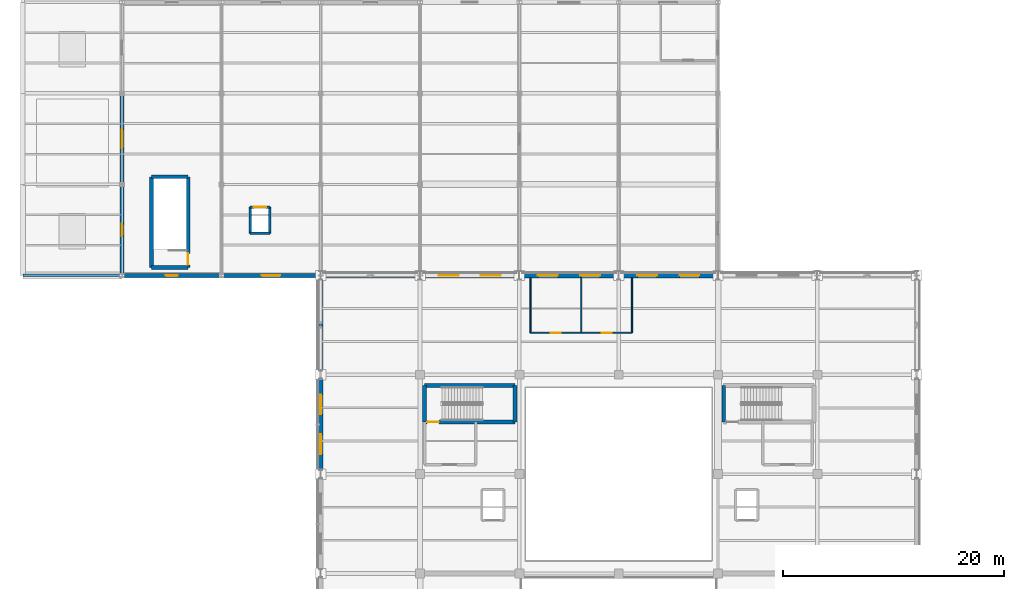
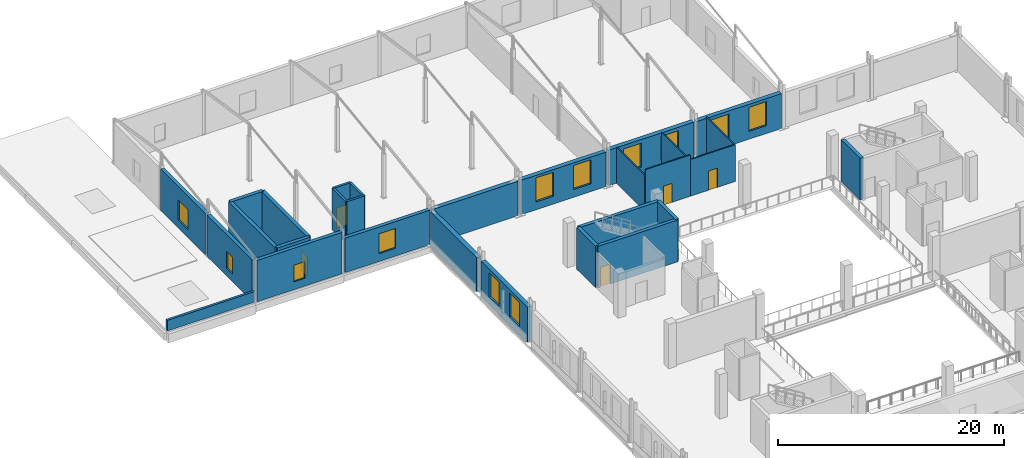
# One storey, part 35 of 54: 29 walls, 12 windows, 5 doors, 17 openings.
"""IFC4 building model written with IfcOpenShell, lengths in metres."""

import ifcopenshell
import ifcopenshell.guid

model = None  # the IFC model being written
_history = None  # IfcOwnerHistory: only IFC2X3 demands one
_inside = {}  # id of a spatial element -> (the spatial element, [elements in it])
_under = {}  # id of a project, library or spatial element -> (it, [spatial elements below it])
_declared = {}  # id of a project -> (the project, [libraries it declares])
_typed = {}  # id of a type object -> (the type object, [elements of that type])
_made_of = {}  # id of a material, layer set ... -> (it, [elements and type objects made of it])


def new_model(schema):
    """Start an empty IFC model of exactly this schema.

    Asked for "IFC4X3", IfcOpenShell would pick the latest addendum, in which some entities
    have other attributes; the version numbers below select the first issue.
    IFC2X3 requires an IfcOwnerHistory on every rooted entity: one is made here for all.
    """
    global model, _history
    if schema == "IFC4X3":
        model = ifcopenshell.file(schema_version=(4, 3, 0, 0))
    else:
        model = ifcopenshell.file(schema=schema)
    _inside.clear()
    _under.clear()
    _declared.clear()
    _typed.clear()
    _made_of.clear()
    _history = None
    if model.schema == "IFC2X3":
        org = make("IfcOrganization", Name="unknown")
        user = make(
            "IfcPersonAndOrganization",
            ThePerson=make("IfcPerson", FamilyName="unknown"),
            TheOrganization=org,
        )
        app = make(
            "IfcApplication",
            ApplicationDeveloper=org,
            Version="unknown",
            ApplicationFullName="unknown",
            ApplicationIdentifier="unknown",
        )
        _history = make(
            "IfcOwnerHistory",
            OwningUser=user,
            OwningApplication=app,
            ChangeAction="ADDED",
            CreationDate=0,
        )
    return model


def make(cls, **values):
    """One entity of the class cls with the attributes given. An attribute that is None is left unset."""
    return model.create_entity(
        cls, **{name: value for name, value in values.items() if value is not None}
    )


def rooted(cls, **values):
    """An entity with a GlobalId (a new one), such as an element, a storey or a relation."""
    return make(cls, GlobalId=ifcopenshell.guid.new(), OwnerHistory=_history, **values)


def si_unit(unit_type, name, prefix=None):
    """IfcSIUnit, for example si_unit("LENGTHUNIT", "METRE", prefix="MILLI")."""
    return make("IfcSIUnit", UnitType=unit_type, Prefix=prefix, Name=name)


def assignment(units):
    """IfcUnitAssignment: the units of a project."""
    return None if units is None else make("IfcUnitAssignment", Units=units)


def point(xyz):
    """IfcCartesianPoint."""
    return None if xyz is None else make("IfcCartesianPoint", Coordinates=xyz)


def direction(xyz):
    """IfcDirection."""
    return None if xyz is None else make("IfcDirection", DirectionRatios=xyz)


def frame(location, z_axis=None, x_axis=None):
    """IfcAxis2Placement3D, a coordinate frame: its origin and axes. An axis left out is left unset."""
    return make(
        "IfcAxis2Placement3D",
        Location=point(location),
        Axis=direction(z_axis),
        RefDirection=direction(x_axis),
    )


def frame_2d(location, x_axis=None):
    """IfcAxis2Placement2D, a coordinate frame in the plane: its origin and x axis."""
    return make(
        "IfcAxis2Placement2D", Location=point(location), RefDirection=direction(x_axis)
    )


def origin():
    """The frame at (0, 0, 0) with its axes left unset."""
    return frame((0.0, 0.0, 0.0))


def place(relative_to, where):
    """IfcLocalPlacement: puts the frame where relative to a parent placement (None: the world)."""
    return make(
        "IfcLocalPlacement", PlacementRelTo=relative_to, RelativePlacement=where
    )


def context(
    kind, dimensions, precision=None, world=None, true_north=None, identifier=None
):
    """IfcGeometricRepresentationContext, for example the 3D "Model" context."""
    return make(
        "IfcGeometricRepresentationContext",
        ContextIdentifier=identifier,
        ContextType=kind,
        CoordinateSpaceDimension=dimensions,
        Precision=precision,
        WorldCoordinateSystem=world,
        TrueNorth=true_north,
    )


def subcontext(parent, identifier, kind, view, scale=None):
    """IfcGeometricRepresentationSubContext, for example "Body" below "Model"."""
    return make(
        "IfcGeometricRepresentationSubContext",
        ContextIdentifier=identifier,
        ContextType=kind,
        ParentContext=parent,
        TargetScale=scale,
        TargetView=view,
    )


def project(units=None, contexts=None):
    """IfcProject with its units and contexts."""
    return rooted(
        "IfcProject",
        Name="project",
        RepresentationContexts=contexts,
        UnitsInContext=assignment(units),
    )


def spatial(cls, under=None, at=None, **own):
    """A site, building, storey or space (cls), placed at a placement, below another one or the project."""
    s = rooted(cls, ObjectPlacement=at, **own)
    if under is not None:
        _under.setdefault(under.id(), (under, []))[1].append(s)
    return s


def profile(cls, at=None, kind="AREA", **sizes):
    """A parametric profile (cls). Its sizes go by their IFC names, for example OverallWidth=200.0."""
    return make(cls, ProfileType=kind, Position=at, **sizes)


def rectangle(**sizes):
    """IfcRectangleProfileDef."""
    return profile("IfcRectangleProfileDef", **sizes)


def extrude(swept, where, along, depth):
    """IfcExtrudedAreaSolid: the profile swept, set in the frame where, extruded along a direction by depth."""
    return make(
        "IfcExtrudedAreaSolid",
        SweptArea=swept,
        Position=where,
        ExtrudedDirection=direction(along),
        Depth=depth,
    )


def shape(context_of_items, identifier, shape_type, items):
    """IfcShapeRepresentation: the items that make up one representation, for example the "Body"."""
    return make(
        "IfcShapeRepresentation",
        ContextOfItems=context_of_items,
        RepresentationIdentifier=identifier,
        RepresentationType=shape_type,
        Items=items,
    )


def material(Name=None, Category=None):
    """IfcMaterial."""
    return make("IfcMaterial", Name=Name, Category=Category)


def layer(
    of_material, thickness, ventilated=None, Name=None, Category=None, Priority=None
):
    """IfcMaterialLayer: one layer of a wall or slab, of a material (None: an air gap)."""
    return make(
        "IfcMaterialLayer",
        Material=of_material,
        LayerThickness=thickness,
        IsVentilated=ventilated,
        Name=Name,
        Category=Category,
        Priority=Priority,
    )


def layer_set(layers, Name=None):
    """IfcMaterialLayerSet."""
    return make("IfcMaterialLayerSet", MaterialLayers=layers, LayerSetName=Name)


def made_of(thing, what):
    """Note that an element or type object is made of a material, layer set ...; save() writes the relation."""
    if what is not None:
        _made_of.setdefault(what.id(), (what, []))[1].append(thing)
    return thing


def type_object(cls, material=None, **own):
    """A type object (cls), such as IfcWallType, which elements share."""
    return made_of(rooted(cls, **own), material)


def element(
    cls,
    number,
    at=None,
    inside=None,
    cuts=None,
    type_object=None,
    material=None,
    context=None,
    identifier="Body",
    shape_type=None,
    held_by="IfcProductDefinitionShape",
    body=None,
    shapes=None,
    **own,
):
    """One element of the class cls, such as IfcWall. Its Tag is "e" and its number.

    at: its placement. inside: the storey or other place that contains it. cuts: it is an
    opening in that element (IfcRelVoidsElement). A single representation is given by context,
    identifier, shape_type and body (its items); several are given by shapes. held_by: the class
    of the entity that holds the representations. save() writes the other relations.
    """
    e = rooted(cls, Tag="e%d" % number, ObjectPlacement=at, **own)
    if body is not None:
        shapes = [shape(context, identifier, shape_type, body)]
    if shapes is not None:
        e.Representation = make(held_by, Representations=shapes)
    if inside is not None:
        _inside.setdefault(inside.id(), (inside, []))[1].append(e)
    if cuts is not None:
        rooted(
            "IfcRelVoidsElement", RelatingBuildingElement=cuts, RelatedOpeningElement=e
        )
    if type_object is not None:
        _typed.setdefault(type_object.id(), (type_object, []))[1].append(e)
    return made_of(e, material)


def fill(opening, filler):
    """IfcRelFillsElement: the door or window that sits in an opening."""
    return rooted(
        "IfcRelFillsElement",
        RelatingOpeningElement=opening,
        RelatedBuildingElement=filler,
    )


def aggregate(whole, parts):
    """IfcRelAggregates: a whole, such as a stair, and the parts it consists of."""
    return rooted("IfcRelAggregates", RelatingObject=whole, RelatedObjects=parts)


def save(model, path):
    """Write the relations noted so far, then the file.

    IfcRelAggregates (storeys below a building ...), IfcRelContainedInSpatialStructure (elements
    in a storey), IfcRelDefinesByType, IfcRelAssociatesMaterial and IfcRelDeclares: one each for
    every whole, place, type object, material and project.
    """
    for whole, parts in _under.values():
        aggregate(whole, parts)
    for where, things in _inside.values():
        rooted(
            "IfcRelContainedInSpatialStructure",
            RelatedElements=things,
            RelatingStructure=where,
        )
    for kind, things in _typed.values():
        rooted("IfcRelDefinesByType", RelatedObjects=things, RelatingType=kind)
    for what, things in _made_of.values():
        rooted("IfcRelAssociatesMaterial", RelatedObjects=things, RelatingMaterial=what)
    for by, libraries in _declared.values():
        rooted("IfcRelDeclares", RelatingContext=by, RelatedDefinitions=libraries)
    model.write(path)


model = new_model("IFC4")

# Units and contexts
model_context = context("Model", 3, precision=1e-05, world=origin(), true_north=direction((0.0, 1.0)))
body_context = subcontext(model_context, "Body", "Model", "MODEL_VIEW")
ifc_project = project(units=[si_unit("LENGTHUNIT", "METRE"), si_unit("AREAUNIT", "SQUARE_METRE"), si_unit("VOLUMEUNIT", "CUBIC_METRE"), si_unit("PLANEANGLEUNIT", "RADIAN"), si_unit("MASSUNIT", "GRAM", prefix="KILO")], contexts=[model_context])

# Site, building, storey
site_placement = place(None, origin())
site = spatial("IfcSite", under=ifc_project, at=site_placement, CompositionType="ELEMENT")
building_placement = place(site_placement, origin())
building = spatial("IfcBuilding", under=site, at=building_placement, Name="Sundgate Opera House", CompositionType="ELEMENT")
storey_placement = place(building_placement, frame((0.0, 0.0, 16.800048828125)))
storey = spatial("IfcBuildingStorey", under=building, at=storey_placement, Name="L03", CompositionType="ELEMENT", Elevation=16.800048828125)

# Wall, opening, door
ifc_material_1 = material(Name="Concrete C40/50", Category="concrete")
ifc_layer_1 = layer(ifc_material_1, 0.35009765625)
ifc_layer_set_1 = layer_set([ifc_layer_1], Name="Concrete C40/50")
wall_type_1 = type_object("IfcWallType", Name="WL-CORE-350", PredefinedType="SHEAR", material=ifc_layer_set_1)
wall_1_placement = place(storey_placement, frame((36.409912109375, 73.7099609375, 0.0), z_axis=(0.0, 0.0, 1.0), x_axis=(1.0, 0.0, 0.0)))
wall_1 = element("IfcWall", 1, at=wall_1_placement, inside=storey, type_object=wall_type_1, Name="L03 C2 South Shaft Wall", PredefinedType="SHEAR", context=body_context, shape_type="SweptSolid", body=[
    extrude(rectangle(XDim=8.18017578125, YDim=0.35009765625, at=frame_2d((4.090087890625, 0.0))), origin(), (0.0, 0.0, 1.0), 4.52001953125),
])
opening_1_placement = place(wall_1_placement, frame((0.239990234375, 0.0, 0.0)))
opening_1 = element("IfcOpeningElement", 2, at=opening_1_placement, cuts=wall_1, Name="Opening DI01", PredefinedType="OPENING", context=body_context, shape_type="SweptSolid", body=[
    extrude(rectangle(XDim=1.050048828125, YDim=2.179931640625, at=frame_2d((0.52490234375, 1.08984375))), frame((0.0, 0.18505859375, 0.0), z_axis=(0.0, -1.0, 0.0), x_axis=(1.0, 0.0, 0.0)), (0.0, 0.0, 1.0), 0.3701171875),
])
ifc_material_2 = material(Name="Acoustic hardwood timber and steel core", Category="steel")
door_type_1 = type_object("IfcDoorType", Name="DR-STAIR-1050x2180", OperationType="NOTDEFINED", PredefinedType="DOOR", material=ifc_material_2)
door_1_placement = place(opening_1_placement, origin())
door_1 = element("IfcDoor", 3, at=door_1_placement, inside=storey, type_object=door_type_1, Name="L03 C2 Stair Door D0040", OperationType="SINGLE_SWING_RIGHT", OverallHeight=2.179931640625, OverallWidth=1.050048828125, PredefinedType="DOOR", context=body_context, shape_type="SweptSolid", body=[
    extrude(rectangle(XDim=1.050048828125, YDim=2.179931640625, at=frame_2d((0.52490234375, 1.08984375))), frame((0.0, 0.02490234375, 0.0), z_axis=(0.0, -1.0, 0.0), x_axis=(1.0, 0.0, 0.0)), (0.0, 0.0, 1.0), 0.050048828125),
])
fill(opening_1, door_1)

# Walls
wall_2_placement = place(storey_placement, frame((36.409912109375, 77.0400390625, 0.0), z_axis=(0.0, 0.0, 1.0), x_axis=(1.0, 0.0, 0.0)))
element("IfcWall", 4, at=wall_2_placement, inside=storey, type_object=wall_type_1, Name="L03 C2 North Shaft Wall", PredefinedType="SHEAR", context=body_context, shape_type="SweptSolid", body=[
    extrude(rectangle(XDim=8.18017578125, YDim=0.35009765625, at=frame_2d((4.090087890625, 0.0))), origin(), (0.0, 0.0, 1.0), 4.52001953125),
])
for number, where, z_axis, x_axis, name in (
    (5, (36.409912109375, 73.7099609375, 0.0), (0.0, 0.0, 1.0), (0.0, 1.0, 0.0), "L03 C2 West Shaft Wall"),
    (6, (44.590087890625, 73.7099609375, 0.0), (0.0, 0.0, 1.0), (0.0, 1.0, 0.0), "L03 C2 East Shaft Wall"),
    (7, (63.510009765625, 73.7099609375, 0.0), (0.0, 0.0, 1.0), (0.0, 1.0, 0.0), "L03 C4 West Shaft Wall"),
    (8, (11.659912109375, 87.7099609375, 0.0), (0.0, 0.0, 1.0), (1.0, 0.0, 0.0), "L03 C8 South Shaft Wall"),
    (9, (11.659912109375, 95.93994140625, 0.0), (0.0, 0.0, 1.0), (1.0, 0.0, 0.0), "L03 C8 North Shaft Wall"),
):
    element("IfcWall", number, at=place(storey_placement, frame(where, z_axis=z_axis, x_axis=x_axis)), inside=storey, type_object=wall_type_1, Name=name, PredefinedType="SHEAR", context=body_context, shape_type="SweptSolid", body=[
        extrude(rectangle(XDim=3.330078125, YDim=0.35009765625, at=frame_2d((1.6650390625, 0.0))), origin(), (0.0, 0.0, 1.0), 4.52001953125),
    ])
wall_3_placement = place(storey_placement, frame((11.659912109375, 87.7099609375, 0.0), z_axis=(0.0, 0.0, 1.0), x_axis=(0.0, 1.0, 0.0)))
element("IfcWall", 10, at=wall_3_placement, inside=storey, type_object=wall_type_1, Name="L03 C8 West Shaft Wall", PredefinedType="SHEAR", context=body_context, shape_type="SweptSolid", body=[
    extrude(rectangle(XDim=8.22998046875, YDim=0.35009765625, at=frame_2d((4.114990234375, 0.0))), origin(), (0.0, 0.0, 1.0), 4.52001953125),
])

# Wall, opening, door
wall_4_placement = place(storey_placement, frame((14.989990234375, 87.7099609375, 0.0), z_axis=(0.0, 0.0, 1.0), x_axis=(0.0, 1.0, 0.0)))
wall_4 = element("IfcWall", 11, at=wall_4_placement, inside=storey, type_object=wall_type_1, Name="L03 C8 East Shaft Wall", PredefinedType="SHEAR", context=body_context, shape_type="SweptSolid", body=[
    extrude(rectangle(XDim=8.22998046875, YDim=0.35009765625, at=frame_2d((4.114990234375, 0.0))), origin(), (0.0, 0.0, 1.0), 4.52001953125),
])
opening_2_placement = place(wall_4_placement, frame((0.239990234375, 0.0, 0.0)))
opening_2 = element("IfcOpeningElement", 12, at=opening_2_placement, cuts=wall_4, Name="Opening DI01", PredefinedType="OPENING", context=body_context, shape_type="SweptSolid", body=[
    extrude(rectangle(XDim=1.050048828125, YDim=2.179931640625, at=frame_2d((0.52490234375, 1.08984375))), frame((0.0, 0.18505859375, 0.0), z_axis=(0.0, -1.0, 0.0), x_axis=(1.0, 0.0, 0.0)), (0.0, 0.0, 1.0), 0.3701171875),
])
door_2_placement = place(opening_2_placement, origin())
door_2 = element("IfcDoor", 13, at=door_2_placement, inside=storey, type_object=door_type_1, Name="L03 C8 Stair Door D0091", OperationType="SINGLE_SWING_LEFT", OverallHeight=2.179931640625, OverallWidth=1.050048828125, PredefinedType="DOOR", context=body_context, shape_type="SweptSolid", body=[
    extrude(rectangle(XDim=1.050048828125, YDim=2.179931640625, at=frame_2d((0.52490234375, 1.08984375))), frame((0.0, 0.02490234375, 0.0), z_axis=(0.0, -1.0, 0.0), x_axis=(1.0, 0.0, 0.0)), (0.0, 0.0, 1.0), 0.050048828125),
])
fill(opening_2, door_2)

# Wall, opening, window
ifc_material_3 = material(Name="Scanian red-brown facing brick masonry", Category="masonry")
ifc_layer_2 = layer(ifc_material_3, 0.360107421875)
ifc_layer_set_2 = layer_set([ifc_layer_2], Name="Scanian red-brown facing brick masonry")
wall_type_2 = type_object("IfcWallType", Name="WL-EXT-BRICK-360", PredefinedType="SOLIDWALL", material=ifc_layer_set_2)
wall_5_placement = place(storey_placement, frame((9.0, 95.10498046875, 0.0), z_axis=(0.0, 0.0, 1.0), x_axis=(0.0, -1.0, 0.0)))
wall_5 = element("IfcWall", 14, at=wall_5_placement, inside=storey, type_object=wall_type_2, Name="L03 Costume Wing West Wall W0430", PredefinedType="SOLIDWALL", context=body_context, shape_type="SweptSolid", body=[
    extrude(rectangle(XDim=7.9599609375, YDim=0.360107421875, at=frame_2d((3.97998046875, 0.0))), origin(), (0.0, 0.0, 1.0), 4.48486328125),
])
opening_3_placement = place(wall_5_placement, frame((3.429931640625, 0.0, 0.85009765625)))
opening_3 = element("IfcOpeningElement", 15, at=opening_3_placement, cuts=wall_5, Name="Opening W12", PredefinedType="OPENING", context=body_context, shape_type="SweptSolid", body=[
    extrude(rectangle(XDim=1.10009765625, YDim=1.800048828125, at=frame_2d((0.550048828125, 0.89990234375))), frame((0.0, 0.18994140625, 0.0), z_axis=(0.0, -1.0, 0.0), x_axis=(1.0, 0.0, 0.0)), (0.0, 0.0, 1.0), 0.380126953125),
])
ifc_material_4 = material(Name="Low-iron triple glazing in patinated bronze frame", Category="glass")
window_type_1 = type_object("IfcWindowType", Name="WN-STAGE-1100x1800", PartitioningType="SINGLE_PANEL", PredefinedType="WINDOW", material=ifc_material_4)
window_1_placement = place(opening_3_placement, origin())
window_1 = element("IfcWindow", 16, at=window_1_placement, inside=storey, type_object=window_type_1, Name="L03 Costume Pavilion Window WN0343", OverallHeight=1.800048828125, OverallWidth=1.10009765625, PartitioningType="SINGLE_PANEL", PredefinedType="WINDOW", context=body_context, shape_type="SweptSolid", body=[
    extrude(rectangle(XDim=1.10009765625, YDim=1.800048828125, at=frame_2d((0.550048828125, 0.89990234375))), frame((0.0, 0.030029296875, 0.0), z_axis=(0.0, -1.0, 0.0), x_axis=(1.0, 0.0, 0.0)), (0.0, 0.0, 1.0), 0.06005859375),
])
fill(opening_3, window_1)

wall_6_placement = place(storey_placement, frame((9.0, 103.35498046875, 0.0), z_axis=(0.0, 0.0, 1.0), x_axis=(0.0, -1.0, 0.0)))
wall_6 = element("IfcWall", 17, at=wall_6_placement, inside=storey, type_object=wall_type_2, Name="L03 Costume Wing West Wall W0431", PredefinedType="SOLIDWALL", context=body_context, shape_type="SweptSolid", body=[
    extrude(rectangle(XDim=7.9599609375, YDim=0.360107421875, at=frame_2d((3.97998046875, 0.0))), origin(), (0.0, 0.0, 1.0), 4.48486328125),
])
opening_4_placement = place(wall_6_placement, frame((3.1298828125, 0.0, 0.85009765625)))
opening_4 = element("IfcOpeningElement", 18, at=opening_4_placement, cuts=wall_6, Name="Opening W13", PredefinedType="OPENING", context=body_context, shape_type="SweptSolid", body=[
    extrude(rectangle(XDim=1.699951171875, YDim=2.14990234375, at=frame_2d((0.85009765625, 1.074951171875))), frame((0.0, 0.18994140625, 0.0), z_axis=(0.0, -1.0, 0.0), x_axis=(1.0, 0.0, 0.0)), (0.0, 0.0, 1.0), 0.380126953125),
])
ifc_material_5 = material(Name="Low-iron triple glazing in patinated bronze frame", Category="glass")
window_type_2 = type_object("IfcWindowType", Name="WN-GALL-1700x2150", PartitioningType="SINGLE_PANEL", PredefinedType="WINDOW", material=ifc_material_5)
window_2_placement = place(opening_4_placement, origin())
window_2 = element("IfcWindow", 19, at=window_2_placement, inside=storey, type_object=window_type_2, Name="L03 Costume Pavilion Window WN0344", OverallHeight=2.14990234375, OverallWidth=1.699951171875, PartitioningType="SINGLE_PANEL", PredefinedType="WINDOW", context=body_context, shape_type="SweptSolid", body=[
    extrude(rectangle(XDim=1.699951171875, YDim=2.14990234375, at=frame_2d((0.85009765625, 1.074951171875))), frame((0.0, 0.030029296875, 0.0), z_axis=(0.0, -1.0, 0.0), x_axis=(1.0, 0.0, 0.0)), (0.0, 0.0, 1.0), 0.06005859375),
])
fill(opening_4, window_2)

wall_7_placement = place(storey_placement, frame((17.85498046875, 87.0, 0.0), z_axis=(0.0, 0.0, 1.0), x_axis=(-1.0, 0.0, 0.0)))
wall_7 = element("IfcWall", 20, at=wall_7_placement, inside=storey, type_object=wall_type_2, Name="L03 Costume Wing South Wall W0436", PredefinedType="SOLIDWALL", context=body_context, shape_type="SweptSolid", body=[
    extrude(rectangle(XDim=8.7099609375, YDim=0.360107421875, at=frame_2d((4.35498046875, 0.0))), origin(), (0.0, 0.0, 1.0), 4.48486328125),
])
opening_5_placement = place(wall_7_placement, frame((3.804931640625, 0.0, 0.85009765625)))
opening_5 = element("IfcOpeningElement", 21, at=opening_5_placement, cuts=wall_7, Name="Opening W12", PredefinedType="OPENING", context=body_context, shape_type="SweptSolid", body=[
    extrude(rectangle(XDim=1.10009765625, YDim=1.800048828125, at=frame_2d((0.550048828125, 0.89990234375))), frame((0.0, 0.18994140625, 0.0), z_axis=(0.0, -1.0, 0.0), x_axis=(1.0, 0.0, 0.0)), (0.0, 0.0, 1.0), 0.380126953125),
])
window_3_placement = place(opening_5_placement, origin())
window_3 = element("IfcWindow", 22, at=window_3_placement, inside=storey, type_object=window_type_1, Name="L03 Costume Pavilion Window WN0349", OverallHeight=1.800048828125, OverallWidth=1.10009765625, PartitioningType="SINGLE_PANEL", PredefinedType="WINDOW", context=body_context, shape_type="SweptSolid", body=[
    extrude(rectangle(XDim=1.10009765625, YDim=1.800048828125, at=frame_2d((0.550048828125, 0.89990234375))), frame((0.0, 0.030029296875, 0.0), z_axis=(0.0, -1.0, 0.0), x_axis=(1.0, 0.0, 0.0)), (0.0, 0.0, 1.0), 0.06005859375),
])
fill(opening_5, window_3)

wall_8_placement = place(storey_placement, frame((26.85498046875, 87.0, 0.0), z_axis=(0.0, 0.0, 1.0), x_axis=(-1.0, 0.0, 0.0)))
wall_8 = element("IfcWall", 23, at=wall_8_placement, inside=storey, type_object=wall_type_2, Name="L03 Costume Wing South Wall W0437", PredefinedType="SOLIDWALL", context=body_context, shape_type="SweptSolid", body=[
    extrude(rectangle(XDim=8.7099609375, YDim=0.360107421875, at=frame_2d((4.35498046875, 0.0))), origin(), (0.0, 0.0, 1.0), 3.73486328125),
])
opening_6_placement = place(wall_8_placement, frame((3.5048828125, 0.0, 0.85009765625)))
opening_6 = element("IfcOpeningElement", 24, at=opening_6_placement, cuts=wall_8, Name="Opening W13", PredefinedType="OPENING", context=body_context, shape_type="SweptSolid", body=[
    extrude(rectangle(XDim=1.699951171875, YDim=2.14990234375, at=frame_2d((0.85009765625, 1.074951171875))), frame((0.0, 0.18994140625, 0.0), z_axis=(0.0, -1.0, 0.0), x_axis=(1.0, 0.0, 0.0)), (0.0, 0.0, 1.0), 0.380126953125),
])
window_4_placement = place(opening_6_placement, origin())
window_4 = element("IfcWindow", 25, at=window_4_placement, inside=storey, type_object=window_type_2, Name="L03 Costume Pavilion Window WN0350", OverallHeight=2.14990234375, OverallWidth=1.699951171875, PartitioningType="SINGLE_PANEL", PredefinedType="WINDOW", context=body_context, shape_type="SweptSolid", body=[
    extrude(rectangle(XDim=1.699951171875, YDim=2.14990234375, at=frame_2d((0.85009765625, 1.074951171875))), frame((0.0, 0.030029296875, 0.0), z_axis=(0.0, -1.0, 0.0), x_axis=(1.0, 0.0, 0.0)), (0.0, 0.0, 1.0), 0.06005859375),
])
fill(opening_6, window_4)

# Wall
ifc_material_6 = material(Name="Komstad limestone ashlar masonry", Category="masonry")
ifc_layer_3 = layer(ifc_material_6, 0.43994140625)
ifc_layer_set_3 = layer_set([ifc_layer_3], Name="Komstad limestone ashlar masonry")
wall_type_3 = type_object("IfcWallType", Name="WL-EXT-LIME-440", PredefinedType="SOLIDWALL", material=ifc_layer_set_3)
wall_9_placement = place(storey_placement, frame((27.14501953125, 87.0, 0.0), z_axis=(0.0, 0.0, 1.0), x_axis=(1.0, 0.0, 0.0)))
element("IfcWall", 26, at=wall_9_placement, inside=storey, type_object=wall_type_3, Name="L03 Lifted Cube North Relief Wall W0070", PredefinedType="SOLIDWALL", context=body_context, shape_type="SweptSolid", body=[
    extrude(rectangle(XDim=8.7099609375, YDim=0.43994140625, at=frame_2d((4.35498046875, 0.0))), origin(), (0.0, 0.0, 1.0), 3.73486328125),
])

# Wall, openings, windows
wall_10_placement = place(storey_placement, frame((36.14501953125, 87.0, 0.0), z_axis=(0.0, 0.0, 1.0), x_axis=(1.0, 0.0, 0.0)))
wall_10 = element("IfcWall", 27, at=wall_10_placement, inside=storey, type_object=wall_type_3, Name="L03 Lifted Cube North Relief Wall W0072", PredefinedType="SOLIDWALL", context=body_context, shape_type="SweptSolid", body=[
    extrude(rectangle(XDim=8.7099609375, YDim=0.43994140625, at=frame_2d((4.35498046875, 0.0))), origin(), (0.0, 0.0, 1.0), 3.73486328125),
])
opening_7_placement = place(wall_10_placement, frame((1.5390625, 0.0, 0.85009765625)))
opening_7 = element("IfcOpeningElement", 28, at=opening_7_placement, cuts=wall_10, Name="Opening W01", PredefinedType="OPENING", context=body_context, shape_type="SweptSolid", body=[
    extrude(rectangle(XDim=1.800048828125, YDim=2.60009765625, at=frame_2d((0.89990234375, 1.300048828125))), frame((0.0, 0.22998046875, 0.0), z_axis=(0.0, -1.0, 0.0), x_axis=(1.0, 0.0, 0.0)), (0.0, 0.0, 1.0), 0.4599609375),
])
opening_8_placement = place(wall_10_placement, frame((5.37109375, 0.0, 0.85009765625)))
opening_8 = element("IfcOpeningElement", 29, at=opening_8_placement, cuts=wall_10, Name="Opening W01", PredefinedType="OPENING", context=body_context, shape_type="SweptSolid", body=[
    extrude(rectangle(XDim=1.800048828125, YDim=2.60009765625, at=frame_2d((0.89990234375, 1.300048828125))), frame((0.0, 0.22998046875, 0.0), z_axis=(0.0, -1.0, 0.0), x_axis=(1.0, 0.0, 0.0)), (0.0, 0.0, 1.0), 0.4599609375),
])
ifc_material_7 = material(Name="Low-iron triple glazing in patinated bronze frame", Category="glass")
window_type_3 = type_object("IfcWindowType", Name="WN-CUBE-1800x2600", PartitioningType="SINGLE_PANEL", PredefinedType="WINDOW", material=ifc_material_7)
window_5_placement = place(opening_7_placement, origin())
window_5 = element("IfcWindow", 30, at=window_5_placement, inside=storey, type_object=window_type_3, Name="L03 Cube Loggia Window WN0033", OverallHeight=2.60009765625, OverallWidth=1.800048828125, PartitioningType="SINGLE_PANEL", PredefinedType="WINDOW", context=body_context, shape_type="SweptSolid", body=[
    extrude(rectangle(XDim=1.800048828125, YDim=2.60009765625, at=frame_2d((0.89990234375, 1.300048828125))), frame((0.0, 0.030029296875, 0.0), z_axis=(0.0, -1.0, 0.0), x_axis=(1.0, 0.0, 0.0)), (0.0, 0.0, 1.0), 0.06005859375),
])
fill(opening_7, window_5)
window_6_placement = place(opening_8_placement, origin())
window_6 = element("IfcWindow", 31, at=window_6_placement, inside=storey, type_object=window_type_3, Name="L03 Cube Loggia Window WN0034", OverallHeight=2.60009765625, OverallWidth=1.800048828125, PartitioningType="SINGLE_PANEL", PredefinedType="WINDOW", context=body_context, shape_type="SweptSolid", body=[
    extrude(rectangle(XDim=1.800048828125, YDim=2.60009765625, at=frame_2d((0.89990234375, 1.300048828125))), frame((0.0, 0.030029296875, 0.0), z_axis=(0.0, -1.0, 0.0), x_axis=(1.0, 0.0, 0.0)), (0.0, 0.0, 1.0), 0.06005859375),
])
fill(opening_8, window_6)

wall_11_placement = place(storey_placement, frame((45.14501953125, 87.0, 0.0), z_axis=(0.0, 0.0, 1.0), x_axis=(1.0, 0.0, 0.0)))
wall_11 = element("IfcWall", 32, at=wall_11_placement, inside=storey, type_object=wall_type_3, Name="L03 Lifted Cube North Relief Wall W0074", PredefinedType="SOLIDWALL", context=body_context, shape_type="SweptSolid", body=[
    extrude(rectangle(XDim=8.7099609375, YDim=0.43994140625, at=frame_2d((4.35498046875, 0.0))), origin(), (0.0, 0.0, 1.0), 3.8349609375),
])
opening_9_placement = place(wall_11_placement, frame((1.5390625, 0.0, 0.85009765625)))
opening_9 = element("IfcOpeningElement", 33, at=opening_9_placement, cuts=wall_11, Name="Opening W01", PredefinedType="OPENING", context=body_context, shape_type="SweptSolid", body=[
    extrude(rectangle(XDim=1.800048828125, YDim=2.60009765625, at=frame_2d((0.89990234375, 1.300048828125))), frame((0.0, 0.22998046875, 0.0), z_axis=(0.0, -1.0, 0.0), x_axis=(1.0, 0.0, 0.0)), (0.0, 0.0, 1.0), 0.4599609375),
])
opening_10_placement = place(wall_11_placement, frame((5.37109375, 0.0, 0.85009765625)))
opening_10 = element("IfcOpeningElement", 34, at=opening_10_placement, cuts=wall_11, Name="Opening W01", PredefinedType="OPENING", context=body_context, shape_type="SweptSolid", body=[
    extrude(rectangle(XDim=1.800048828125, YDim=2.60009765625, at=frame_2d((0.89990234375, 1.300048828125))), frame((0.0, 0.22998046875, 0.0), z_axis=(0.0, -1.0, 0.0), x_axis=(1.0, 0.0, 0.0)), (0.0, 0.0, 1.0), 0.4599609375),
])
window_7_placement = place(opening_9_placement, origin())
window_7 = element("IfcWindow", 35, at=window_7_placement, inside=storey, type_object=window_type_3, Name="L03 Cube Loggia Window WN0037", OverallHeight=2.60009765625, OverallWidth=1.800048828125, PartitioningType="SINGLE_PANEL", PredefinedType="WINDOW", context=body_context, shape_type="SweptSolid", body=[
    extrude(rectangle(XDim=1.800048828125, YDim=2.60009765625, at=frame_2d((0.89990234375, 1.300048828125))), frame((0.0, 0.030029296875, 0.0), z_axis=(0.0, -1.0, 0.0), x_axis=(1.0, 0.0, 0.0)), (0.0, 0.0, 1.0), 0.06005859375),
])
fill(opening_9, window_7)
window_8_placement = place(opening_10_placement, origin())
window_8 = element("IfcWindow", 36, at=window_8_placement, inside=storey, type_object=window_type_3, Name="L03 Cube Loggia Window WN0038", OverallHeight=2.60009765625, OverallWidth=1.800048828125, PartitioningType="SINGLE_PANEL", PredefinedType="WINDOW", context=body_context, shape_type="SweptSolid", body=[
    extrude(rectangle(XDim=1.800048828125, YDim=2.60009765625, at=frame_2d((0.89990234375, 1.300048828125))), frame((0.0, 0.030029296875, 0.0), z_axis=(0.0, -1.0, 0.0), x_axis=(1.0, 0.0, 0.0)), (0.0, 0.0, 1.0), 0.06005859375),
])
fill(opening_10, window_8)

wall_12_placement = place(storey_placement, frame((54.14501953125, 87.0, 0.0), z_axis=(0.0, 0.0, 1.0), x_axis=(1.0, 0.0, 0.0)))
wall_12 = element("IfcWall", 37, at=wall_12_placement, inside=storey, type_object=wall_type_3, Name="L03 Lifted Cube North Relief Wall W0076", PredefinedType="SOLIDWALL", context=body_context, shape_type="SweptSolid", body=[
    extrude(rectangle(XDim=8.7099609375, YDim=0.43994140625, at=frame_2d((4.35498046875, 0.0))), origin(), (0.0, 0.0, 1.0), 3.784912109375),
])
opening_11_placement = place(wall_12_placement, frame((1.5390625, 0.0, 0.85009765625)))
opening_11 = element("IfcOpeningElement", 38, at=opening_11_placement, cuts=wall_12, Name="Opening W01", PredefinedType="OPENING", context=body_context, shape_type="SweptSolid", body=[
    extrude(rectangle(XDim=1.800048828125, YDim=2.60009765625, at=frame_2d((0.89990234375, 1.300048828125))), frame((0.0, 0.22998046875, 0.0), z_axis=(0.0, -1.0, 0.0), x_axis=(1.0, 0.0, 0.0)), (0.0, 0.0, 1.0), 0.4599609375),
])
opening_12_placement = place(wall_12_placement, frame((5.37109375, 0.0, 0.85009765625)))
opening_12 = element("IfcOpeningElement", 39, at=opening_12_placement, cuts=wall_12, Name="Opening W01", PredefinedType="OPENING", context=body_context, shape_type="SweptSolid", body=[
    extrude(rectangle(XDim=1.800048828125, YDim=2.60009765625, at=frame_2d((0.89990234375, 1.300048828125))), frame((0.0, 0.22998046875, 0.0), z_axis=(0.0, -1.0, 0.0), x_axis=(1.0, 0.0, 0.0)), (0.0, 0.0, 1.0), 0.4599609375),
])
window_9_placement = place(opening_11_placement, origin())
window_9 = element("IfcWindow", 40, at=window_9_placement, inside=storey, type_object=window_type_3, Name="L03 Cube Loggia Window WN0041", OverallHeight=2.60009765625, OverallWidth=1.800048828125, PartitioningType="SINGLE_PANEL", PredefinedType="WINDOW", context=body_context, shape_type="SweptSolid", body=[
    extrude(rectangle(XDim=1.800048828125, YDim=2.60009765625, at=frame_2d((0.89990234375, 1.300048828125))), frame((0.0, 0.030029296875, 0.0), z_axis=(0.0, -1.0, 0.0), x_axis=(1.0, 0.0, 0.0)), (0.0, 0.0, 1.0), 0.06005859375),
])
fill(opening_11, window_9)
window_10_placement = place(opening_12_placement, origin())
window_10 = element("IfcWindow", 41, at=window_10_placement, inside=storey, type_object=window_type_3, Name="L03 Cube Loggia Window WN0042", OverallHeight=2.60009765625, OverallWidth=1.800048828125, PartitioningType="SINGLE_PANEL", PredefinedType="WINDOW", context=body_context, shape_type="SweptSolid", body=[
    extrude(rectangle(XDim=1.800048828125, YDim=2.60009765625, at=frame_2d((0.89990234375, 1.300048828125))), frame((0.0, 0.030029296875, 0.0), z_axis=(0.0, -1.0, 0.0), x_axis=(1.0, 0.0, 0.0)), (0.0, 0.0, 1.0), 0.06005859375),
])
fill(opening_12, window_10)

wall_13_placement = place(storey_placement, frame((27.0, 77.60498046875, 0.0), z_axis=(0.0, 0.0, 1.0), x_axis=(0.0, -1.0, 0.0)))
wall_13 = element("IfcWall", 42, at=wall_13_placement, inside=storey, type_object=wall_type_3, Name="L03 Lifted Cube West Relief Wall W0089", PredefinedType="SOLIDWALL", context=body_context, shape_type="SweptSolid", body=[
    extrude(rectangle(XDim=8.2099609375, YDim=0.43994140625, at=frame_2d((4.10498046875, 0.0))), origin(), (0.0, 0.0, 1.0), 3.8349609375),
])
opening_13_placement = place(wall_13_placement, frame((1.39892578125, 0.0, 0.85009765625)))
opening_13 = element("IfcOpeningElement", 43, at=opening_13_placement, cuts=wall_13, Name="Opening W01", PredefinedType="OPENING", context=body_context, shape_type="SweptSolid", body=[
    extrude(rectangle(XDim=1.800048828125, YDim=2.60009765625, at=frame_2d((0.89990234375, 1.300048828125))), frame((0.0, 0.22998046875, 0.0), z_axis=(0.0, -1.0, 0.0), x_axis=(1.0, 0.0, 0.0)), (0.0, 0.0, 1.0), 0.4599609375),
])
opening_14_placement = place(wall_13_placement, frame((5.010986328125, 0.0, 0.85009765625)))
opening_14 = element("IfcOpeningElement", 44, at=opening_14_placement, cuts=wall_13, Name="Opening W01", PredefinedType="OPENING", context=body_context, shape_type="SweptSolid", body=[
    extrude(rectangle(XDim=1.800048828125, YDim=2.60009765625, at=frame_2d((0.89990234375, 1.300048828125))), frame((0.0, 0.22998046875, 0.0), z_axis=(0.0, -1.0, 0.0), x_axis=(1.0, 0.0, 0.0)), (0.0, 0.0, 1.0), 0.4599609375),
])
window_11_placement = place(opening_13_placement, origin())
window_11 = element("IfcWindow", 45, at=window_11_placement, inside=storey, type_object=window_type_3, Name="L03 Cube Loggia Window WN0053", OverallHeight=2.60009765625, OverallWidth=1.800048828125, PartitioningType="SINGLE_PANEL", PredefinedType="WINDOW", context=body_context, shape_type="SweptSolid", body=[
    extrude(rectangle(XDim=1.800048828125, YDim=2.60009765625, at=frame_2d((0.89990234375, 1.300048828125))), frame((0.0, 0.030029296875, 0.0), z_axis=(0.0, -1.0, 0.0), x_axis=(1.0, 0.0, 0.0)), (0.0, 0.0, 1.0), 0.06005859375),
])
fill(opening_13, window_11)
window_12_placement = place(opening_14_placement, origin())
window_12 = element("IfcWindow", 46, at=window_12_placement, inside=storey, type_object=window_type_3, Name="L03 Cube Loggia Window WN0054", OverallHeight=2.60009765625, OverallWidth=1.800048828125, PartitioningType="SINGLE_PANEL", PredefinedType="WINDOW", context=body_context, shape_type="SweptSolid", body=[
    extrude(rectangle(XDim=1.800048828125, YDim=2.60009765625, at=frame_2d((0.89990234375, 1.300048828125))), frame((0.0, 0.030029296875, 0.0), z_axis=(0.0, -1.0, 0.0), x_axis=(1.0, 0.0, 0.0)), (0.0, 0.0, 1.0), 0.06005859375),
])
fill(opening_14, window_12)

# Walls
wall_14_placement = place(storey_placement, frame((27.0, 86.60498046875, 0.0), z_axis=(0.0, 0.0, 1.0), x_axis=(0.0, -1.0, 0.0)))
element("IfcWall", 47, at=wall_14_placement, inside=storey, type_object=wall_type_3, Name="L03 Lifted Cube West Relief Wall W0091", PredefinedType="SOLIDWALL", context=body_context, shape_type="SweptSolid", body=[
    extrude(rectangle(XDim=8.2099609375, YDim=0.43994140625, at=frame_2d((4.10498046875, 0.0))), origin(), (0.0, 0.0, 1.0), 3.73486328125),
])
ifc_material_8 = material(Name="Fire-rated gypsum and mineral-wool shaft partition", Category="gypsum")
ifc_layer_4 = layer(ifc_material_8, 0.219970703125)
ifc_layer_set_4 = layer_set([ifc_layer_4], Name="Fire-rated gypsum and mineral-wool shaft partition")
wall_type_4 = type_object("IfcWallType", Name="WL-INT-FIRE-220", PredefinedType="PARTITIONING", material=ifc_layer_set_4)
wall_15_placement = place(storey_placement, frame((20.610107421875, 90.81005859375, 0.0), z_axis=(0.0, 0.0, 1.0), x_axis=(1.0, 0.0, 0.0)))
element("IfcWall", 48, at=wall_15_placement, inside=storey, type_object=wall_type_4, Name="L03 LF-06 South Shaft Wall", PredefinedType="PARTITIONING", context=body_context, shape_type="SweptSolid", body=[
    extrude(rectangle(XDim=1.77978515625, YDim=0.219970703125, at=frame_2d((0.889892578125, 0.0))), origin(), (0.0, 0.0, 1.0), 4.48486328125),
])

# Wall, opening, door
wall_16_placement = place(storey_placement, frame((20.610107421875, 93.18994140625, 0.0), z_axis=(0.0, 0.0, 1.0), x_axis=(1.0, 0.0, 0.0)))
wall_16 = element("IfcWall", 49, at=wall_16_placement, inside=storey, type_object=wall_type_4, Name="L03 LF-06 North Shaft Wall", PredefinedType="PARTITIONING", context=body_context, shape_type="SweptSolid", body=[
    extrude(rectangle(XDim=1.77978515625, YDim=0.219970703125, at=frame_2d((0.889892578125, 0.0))), origin(), (0.0, 0.0, 1.0), 4.48486328125),
])
opening_15_placement = place(wall_16_placement, frame((0.340087890625, 0.0, 0.0)))
opening_15 = element("IfcOpeningElement", 50, at=opening_15_placement, cuts=wall_16, Name="Opening LD1", PredefinedType="OPENING", context=body_context, shape_type="SweptSolid", body=[
    extrude(rectangle(XDim=1.10009765625, YDim=2.179931640625, at=frame_2d((0.550048828125, 1.08984375))), frame((0.0, 0.119873046875, 0.0), z_axis=(0.0, -1.0, 0.0), x_axis=(1.0, 0.0, 0.0)), (0.0, 0.0, 1.0), 0.239990234375),
])
ifc_material_9 = material(Name="Brushed stainless steel EN 1.4301", Category="steel")
door_type_2 = type_object("IfcDoorType", Name="DR-LIFT-1100x2180", OperationType="DOUBLE_DOOR_SLIDING", PredefinedType="DOOR", material=ifc_material_9)
door_3_placement = place(opening_15_placement, origin())
door_3 = element("IfcDoor", 51, at=door_3_placement, inside=storey, type_object=door_type_2, Name="L03 LF-06 Landing Door D0127", OperationType="DOUBLE_DOOR_SLIDING", OverallHeight=2.179931640625, OverallWidth=1.10009765625, PredefinedType="DOOR", context=body_context, shape_type="SweptSolid", body=[
    extrude(rectangle(XDim=1.10009765625, YDim=2.179931640625, at=frame_2d((0.550048828125, 1.08984375))), frame((0.0, 0.02490234375, 0.0), z_axis=(0.0, -1.0, 0.0), x_axis=(1.0, 0.0, 0.0)), (0.0, 0.0, 1.0), 0.050048828125),
])
fill(opening_15, door_3)

# Walls
for number, where, z_axis, x_axis, name in (
    (52, (20.610107421875, 90.81005859375, 0.0), (0.0, 0.0, 1.0), (0.0, 1.0, 0.0), "L03 LF-06 West Shaft Wall"),
    (53, (22.389892578125, 90.81005859375, 0.0), (0.0, 0.0, 1.0), (0.0, 1.0, 0.0), "L03 LF-06 East Shaft Wall"),
):
    element("IfcWall", number, at=place(storey_placement, frame(where, z_axis=z_axis, x_axis=x_axis)), inside=storey, type_object=wall_type_4, Name=name, PredefinedType="PARTITIONING", context=body_context, shape_type="SweptSolid", body=[
        extrude(rectangle(XDim=2.3798828125, YDim=0.219970703125, at=frame_2d((1.18994140625, 0.0))), origin(), (0.0, 0.0, 1.0), 4.48486328125),
    ])

# Wall, opening, door
ifc_material_10 = material(Name="Moisture-resistant sanitary partition", Category="gypsum")
ifc_layer_5 = layer(ifc_material_10, 0.114990234375)
ifc_layer_set_5 = layer_set([ifc_layer_5], Name="Moisture-resistant sanitary partition")
wall_type_5 = type_object("IfcWallType", Name="WL-INT-WET-115", PredefinedType="PARTITIONING", material=ifc_layer_set_5)
wall_17_placement = place(storey_placement, frame((46.0, 81.800048828125, 0.0), z_axis=(0.0, 0.0, 1.0), x_axis=(1.0, 0.0, 0.0)))
wall_17 = element("IfcWall", 54, at=wall_17_placement, inside=storey, type_object=wall_type_5, Name="L03 Interior Partition W1069", PredefinedType="PARTITIONING", context=body_context, shape_type="SweptSolid", body=[
    extrude(rectangle(XDim=4.60009765625, YDim=0.114990234375, at=frame_2d((2.300048828125, 0.0))), origin(), (0.0, 0.0, 1.0), 4.48486328125),
])
opening_16_placement = place(wall_17_placement, frame((1.860107421875, 0.0, 0.0)))
opening_16 = element("IfcOpeningElement", 55, at=opening_16_placement, cuts=wall_17, Name="Opening DI13", PredefinedType="OPENING", context=body_context, shape_type="SweptSolid", body=[
    extrude(rectangle(XDim=0.8798828125, YDim=2.06005859375, at=frame_2d((0.43994140625, 1.030029296875))), frame((0.0, 0.0673828125, 0.0), z_axis=(0.0, -1.0, 0.0), x_axis=(1.0, 0.0, 0.0)), (0.0, 0.0, 1.0), 0.135009765625),
])
ifc_material_11 = material(Name="Acoustic hardwood timber and steel core", Category="steel")
door_type_3 = type_object("IfcDoorType", Name="DR-WC-880x2060", OperationType="NOTDEFINED", PredefinedType="DOOR", material=ifc_material_11)
door_4_placement = place(opening_16_placement, origin())
door_4 = element("IfcDoor", 56, at=door_4_placement, inside=storey, type_object=door_type_3, Name="L03 Interior Door D0228", OperationType="SINGLE_SWING_RIGHT", OverallHeight=2.06005859375, OverallWidth=0.8798828125, PredefinedType="DOOR", context=body_context, shape_type="SweptSolid", body=[
    extrude(rectangle(XDim=0.8798828125, YDim=2.06005859375, at=frame_2d((0.43994140625, 1.030029296875))), frame((0.0, 0.02490234375, 0.0), z_axis=(0.0, -1.0, 0.0), x_axis=(1.0, 0.0, 0.0)), (0.0, 0.0, 1.0), 0.050048828125),
])
fill(opening_16, door_4)

wall_18_placement = place(storey_placement, frame((50.60009765625, 81.800048828125, 0.0), z_axis=(0.0, 0.0, 1.0), x_axis=(1.0, 0.0, 0.0)))
wall_18 = element("IfcWall", 57, at=wall_18_placement, inside=storey, type_object=wall_type_5, Name="L03 Interior Partition W1070", PredefinedType="PARTITIONING", context=body_context, shape_type="SweptSolid", body=[
    extrude(rectangle(XDim=4.599853515625, YDim=0.114990234375, at=frame_2d((2.2998046875, 0.0))), origin(), (0.0, 0.0, 1.0), 3.98486328125),
])
opening_17_placement = place(wall_18_placement, frame((1.840087890625, 0.0, 0.0)))
opening_17 = element("IfcOpeningElement", 58, at=opening_17_placement, cuts=wall_18, Name="Opening DI12", PredefinedType="OPENING", context=body_context, shape_type="SweptSolid", body=[
    extrude(rectangle(XDim=0.919921875, YDim=2.080078125, at=frame_2d((0.4599609375, 1.0400390625))), frame((0.0, 0.0673828125, 0.0), z_axis=(0.0, -1.0, 0.0), x_axis=(1.0, 0.0, 0.0)), (0.0, 0.0, 1.0), 0.135009765625),
])
ifc_material_12 = material(Name="Acoustic hardwood timber and steel core", Category="steel")
door_type_4 = type_object("IfcDoorType", Name="DR-WC-920x2080", OperationType="NOTDEFINED", PredefinedType="DOOR", material=ifc_material_12)
door_5_placement = place(opening_17_placement, origin())
door_5 = element("IfcDoor", 59, at=door_5_placement, inside=storey, type_object=door_type_4, Name="L03 Interior Door D0229", OperationType="SINGLE_SWING_LEFT", OverallHeight=2.080078125, OverallWidth=0.919921875, PredefinedType="DOOR", context=body_context, shape_type="SweptSolid", body=[
    extrude(rectangle(XDim=0.919921875, YDim=2.080078125, at=frame_2d((0.4599609375, 1.0400390625))), frame((0.0, 0.02490234375, 0.0), z_axis=(0.0, -1.0, 0.0), x_axis=(1.0, 0.0, 0.0)), (0.0, 0.0, 1.0), 0.050048828125),
])
fill(opening_17, door_5)

# Walls
for number, where, z_axis, x_axis, name in (
    (60, (46.0, 81.800048828125, 0.0), (0.0, 0.0, 1.0), (0.0, 1.0, 0.0), "L03 Interior Partition W1071"),
    (61, (50.60009765625, 81.800048828125, 0.0), (0.0, 0.0, 1.0), (0.0, 1.0, 0.0), "L03 Interior Partition W1072"),
):
    element("IfcWall", number, at=place(storey_placement, frame(where, z_axis=z_axis, x_axis=x_axis)), inside=storey, type_object=wall_type_5, Name=name, PredefinedType="PARTITIONING", context=body_context, shape_type="SweptSolid", body=[
        extrude(rectangle(XDim=5.0, YDim=0.114990234375, at=frame_2d((2.5, 0.0))), origin(), (0.0, 0.0, 1.0), 3.885009765625),
    ])
wall_19_placement = place(storey_placement, frame((55.199951171875, 81.800048828125, 0.0), z_axis=(0.0, 0.0, 1.0), x_axis=(0.0, 1.0, 0.0)))
element("IfcWall", 62, at=wall_19_placement, inside=storey, type_object=wall_type_5, Name="L03 Interior Partition W1073", PredefinedType="PARTITIONING", context=body_context, shape_type="SweptSolid", body=[
    extrude(rectangle(XDim=5.0, YDim=0.114990234375, at=frame_2d((2.5, 0.0))), origin(), (0.0, 0.0, 1.0), 3.93505859375),
])
ifc_material_13 = material(Name="Vitrified stoneware trencadis masonry", Category="masonry")
ifc_layer_6 = layer(ifc_material_13, 0.22998046875)
ifc_layer_set_6 = layer_set([ifc_layer_6], Name="Vitrified stoneware trencadis masonry")
wall_type_6 = type_object("IfcWallType", Name="WL-PAR-TERR-230", PredefinedType="PARAPET", material=ifc_layer_set_6)
wall_20_placement = place(storey_placement, frame((0.0, 87.0, 0.0), z_axis=(0.0, 0.0, 1.0), x_axis=(1.0, 0.0, 0.0)))
element("IfcWall", 63, at=wall_20_placement, inside=storey, type_object=wall_type_6, Name="L03 Roof Parapet W0472", PredefinedType="PARAPET", context=body_context, shape_type="SweptSolid", body=[
    extrude(rectangle(XDim=9.0, YDim=0.22998046875, at=frame_2d((4.5, 0.0))), origin(), (0.0, 0.0, 1.0), 1.14990234375),
])

save(model, "model.ifc")
